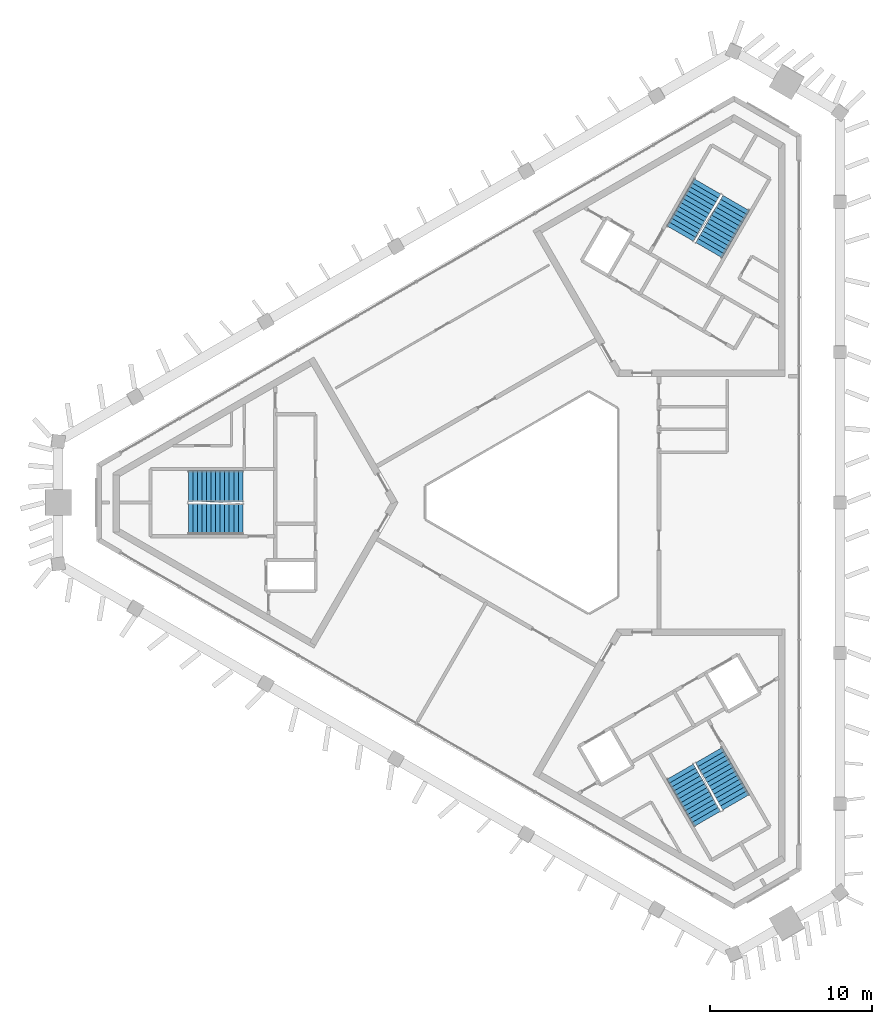
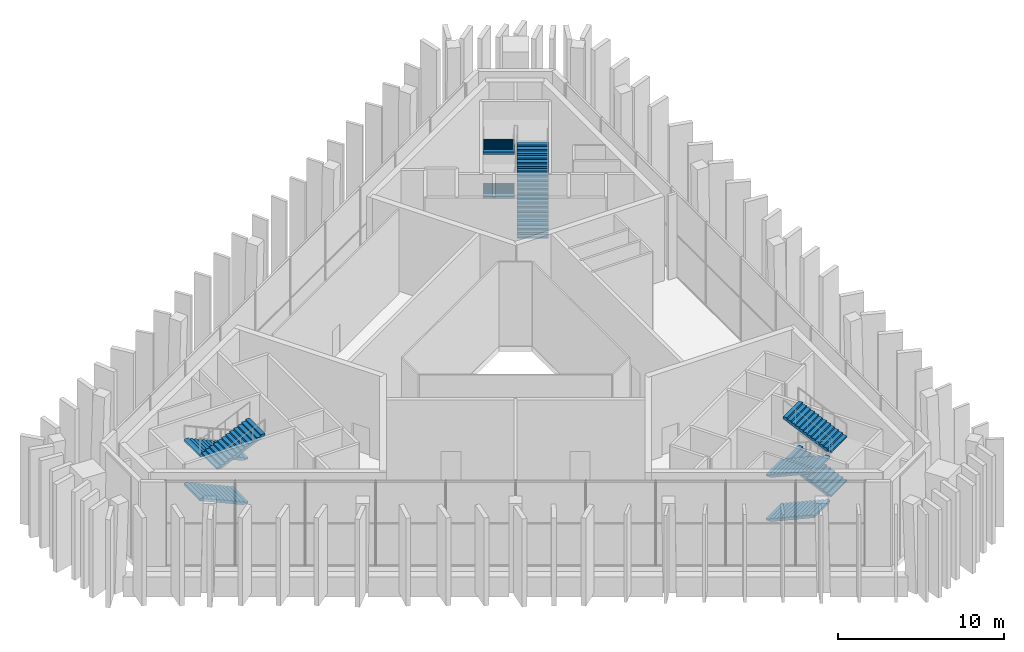
# One storey, part 11 of 13: 11 stair flights, 3 elements without a shape of their own.
"""IFC4 building model written with IfcOpenShell, lengths in metres."""

import ifcopenshell
import ifcopenshell.guid

model = None  # the IFC model being written
_history = None  # IfcOwnerHistory: only IFC2X3 demands one
_inside = {}  # id of a spatial element -> (the spatial element, [elements in it])
_under = {}  # id of a project, library or spatial element -> (it, [spatial elements below it])
_declared = {}  # id of a project -> (the project, [libraries it declares])
_typed = {}  # id of a type object -> (the type object, [elements of that type])
_made_of = {}  # id of a material, layer set ... -> (it, [elements and type objects made of it])


def new_model(schema):
    """Start an empty IFC model of exactly this schema.

    Asked for "IFC4X3", IfcOpenShell would pick the latest addendum, in which some entities
    have other attributes; the version numbers below select the first issue.
    IFC2X3 requires an IfcOwnerHistory on every rooted entity: one is made here for all.
    """
    global model, _history
    if schema == "IFC4X3":
        model = ifcopenshell.file(schema_version=(4, 3, 0, 0))
    else:
        model = ifcopenshell.file(schema=schema)
    _inside.clear()
    _under.clear()
    _declared.clear()
    _typed.clear()
    _made_of.clear()
    _history = None
    if model.schema == "IFC2X3":
        org = make("IfcOrganization", Name="unknown")
        user = make(
            "IfcPersonAndOrganization",
            ThePerson=make("IfcPerson", FamilyName="unknown"),
            TheOrganization=org,
        )
        app = make(
            "IfcApplication",
            ApplicationDeveloper=org,
            Version="unknown",
            ApplicationFullName="unknown",
            ApplicationIdentifier="unknown",
        )
        _history = make(
            "IfcOwnerHistory",
            OwningUser=user,
            OwningApplication=app,
            ChangeAction="ADDED",
            CreationDate=0,
        )
    return model


def make(cls, **values):
    """One entity of the class cls with the attributes given. An attribute that is None is left unset."""
    return model.create_entity(
        cls, **{name: value for name, value in values.items() if value is not None}
    )


def rooted(cls, **values):
    """An entity with a GlobalId (a new one), such as an element, a storey or a relation."""
    return make(cls, GlobalId=ifcopenshell.guid.new(), OwnerHistory=_history, **values)


def si_unit(unit_type, name, prefix=None):
    """IfcSIUnit, for example si_unit("LENGTHUNIT", "METRE", prefix="MILLI")."""
    return make("IfcSIUnit", UnitType=unit_type, Prefix=prefix, Name=name)


def assignment(units):
    """IfcUnitAssignment: the units of a project."""
    return None if units is None else make("IfcUnitAssignment", Units=units)


def point(xyz):
    """IfcCartesianPoint."""
    return None if xyz is None else make("IfcCartesianPoint", Coordinates=xyz)


def direction(xyz):
    """IfcDirection."""
    return None if xyz is None else make("IfcDirection", DirectionRatios=xyz)


def frame(location, z_axis=None, x_axis=None):
    """IfcAxis2Placement3D, a coordinate frame: its origin and axes. An axis left out is left unset."""
    return make(
        "IfcAxis2Placement3D",
        Location=point(location),
        Axis=direction(z_axis),
        RefDirection=direction(x_axis),
    )


def origin():
    """The frame at (0, 0, 0) with its axes left unset."""
    return frame((0.0, 0.0, 0.0))


def place(relative_to, where):
    """IfcLocalPlacement: puts the frame where relative to a parent placement (None: the world)."""
    return make(
        "IfcLocalPlacement", PlacementRelTo=relative_to, RelativePlacement=where
    )


def context(
    kind, dimensions, precision=None, world=None, true_north=None, identifier=None
):
    """IfcGeometricRepresentationContext, for example the 3D "Model" context."""
    return make(
        "IfcGeometricRepresentationContext",
        ContextIdentifier=identifier,
        ContextType=kind,
        CoordinateSpaceDimension=dimensions,
        Precision=precision,
        WorldCoordinateSystem=world,
        TrueNorth=true_north,
    )


def subcontext(parent, identifier, kind, view, scale=None):
    """IfcGeometricRepresentationSubContext, for example "Body" below "Model"."""
    return make(
        "IfcGeometricRepresentationSubContext",
        ContextIdentifier=identifier,
        ContextType=kind,
        ParentContext=parent,
        TargetScale=scale,
        TargetView=view,
    )


def project(units=None, contexts=None):
    """IfcProject with its units and contexts."""
    return rooted(
        "IfcProject",
        Name="project",
        RepresentationContexts=contexts,
        UnitsInContext=assignment(units),
    )


def spatial(cls, under=None, at=None, **own):
    """A site, building, storey or space (cls), placed at a placement, below another one or the project."""
    s = rooted(cls, ObjectPlacement=at, **own)
    if under is not None:
        _under.setdefault(under.id(), (under, []))[1].append(s)
    return s


def polyline(points):
    """IfcPolyline through the points."""
    return make("IfcPolyline", Points=[point(p) for p in points])


def outline(outer, holes=None, kind="AREA"):
    """IfcArbitraryClosedProfileDef: a profile drawn as a closed curve; with holes, ...WithVoids."""
    if holes is None:
        return make("IfcArbitraryClosedProfileDef", ProfileType=kind, OuterCurve=outer)
    return make(
        "IfcArbitraryProfileDefWithVoids",
        ProfileType=kind,
        OuterCurve=outer,
        InnerCurves=holes,
    )


def extrude(swept, where, along, depth):
    """IfcExtrudedAreaSolid: the profile swept, set in the frame where, extruded along a direction by depth."""
    return make(
        "IfcExtrudedAreaSolid",
        SweptArea=swept,
        Position=where,
        ExtrudedDirection=direction(along),
        Depth=depth,
    )


def shape(context_of_items, identifier, shape_type, items):
    """IfcShapeRepresentation: the items that make up one representation, for example the "Body"."""
    return make(
        "IfcShapeRepresentation",
        ContextOfItems=context_of_items,
        RepresentationIdentifier=identifier,
        RepresentationType=shape_type,
        Items=items,
    )


def material(Name=None, Category=None):
    """IfcMaterial."""
    return make("IfcMaterial", Name=Name, Category=Category)


def made_of(thing, what):
    """Note that an element or type object is made of a material, layer set ...; save() writes the relation."""
    if what is not None:
        _made_of.setdefault(what.id(), (what, []))[1].append(thing)
    return thing


def type_object(cls, material=None, **own):
    """A type object (cls), such as IfcWallType, which elements share."""
    return made_of(rooted(cls, **own), material)


def element(
    cls,
    number,
    at=None,
    inside=None,
    cuts=None,
    type_object=None,
    material=None,
    context=None,
    identifier="Body",
    shape_type=None,
    held_by="IfcProductDefinitionShape",
    body=None,
    shapes=None,
    **own,
):
    """One element of the class cls, such as IfcWall. Its Tag is "e" and its number.

    at: its placement. inside: the storey or other place that contains it. cuts: it is an
    opening in that element (IfcRelVoidsElement). A single representation is given by context,
    identifier, shape_type and body (its items); several are given by shapes. held_by: the class
    of the entity that holds the representations. save() writes the other relations.
    """
    e = rooted(cls, Tag="e%d" % number, ObjectPlacement=at, **own)
    if body is not None:
        shapes = [shape(context, identifier, shape_type, body)]
    if shapes is not None:
        e.Representation = make(held_by, Representations=shapes)
    if inside is not None:
        _inside.setdefault(inside.id(), (inside, []))[1].append(e)
    if cuts is not None:
        rooted(
            "IfcRelVoidsElement", RelatingBuildingElement=cuts, RelatedOpeningElement=e
        )
    if type_object is not None:
        _typed.setdefault(type_object.id(), (type_object, []))[1].append(e)
    return made_of(e, material)


def aggregate(whole, parts):
    """IfcRelAggregates: a whole, such as a stair, and the parts it consists of."""
    return rooted("IfcRelAggregates", RelatingObject=whole, RelatedObjects=parts)


def save(model, path):
    """Write the relations noted so far, then the file.

    IfcRelAggregates (storeys below a building ...), IfcRelContainedInSpatialStructure (elements
    in a storey), IfcRelDefinesByType, IfcRelAssociatesMaterial and IfcRelDeclares: one each for
    every whole, place, type object, material and project.
    """
    for whole, parts in _under.values():
        aggregate(whole, parts)
    for where, things in _inside.values():
        rooted(
            "IfcRelContainedInSpatialStructure",
            RelatedElements=things,
            RelatingStructure=where,
        )
    for kind, things in _typed.values():
        rooted("IfcRelDefinesByType", RelatedObjects=things, RelatingType=kind)
    for what, things in _made_of.values():
        rooted("IfcRelAssociatesMaterial", RelatedObjects=things, RelatingMaterial=what)
    for by, libraries in _declared.values():
        rooted("IfcRelDeclares", RelatingContext=by, RelatedDefinitions=libraries)
    model.write(path)


model = new_model("IFC4")

# Units and contexts
model_context = context("Model", 3, precision=1e-05, world=origin(), true_north=direction((0.0, 1.0)))
body_context = subcontext(model_context, "Body", "Model", "MODEL_VIEW")
ifc_project = project(units=[si_unit("LENGTHUNIT", "METRE"), si_unit("AREAUNIT", "SQUARE_METRE"), si_unit("VOLUMEUNIT", "CUBIC_METRE"), si_unit("PLANEANGLEUNIT", "RADIAN"), si_unit("MASSUNIT", "GRAM", prefix="KILO")], contexts=[model_context])

# Site, building, storey
site_placement = place(None, origin())
site = spatial("IfcSite", under=ifc_project, at=site_placement, CompositionType="ELEMENT")
building_placement = place(site_placement, origin())
building = spatial("IfcBuilding", under=site, at=building_placement, Name="Jabali Bay Hotel Tower and Convention Centre", CompositionType="ELEMENT")
storey_placement = place(building_placement, frame((0.0, 0.0, 315.800048828125)))
storey = spatial("IfcBuildingStorey", under=building, at=storey_placement, Name="L77", CompositionType="ELEMENT", Elevation=315.800048828125)

# Stair, stair flights
ifc_material = material(Name="Concrete C40", Category="concrete")
stair_type = type_object("IfcStairType", Name="Exit stair 1900", PredefinedType="HALF_TURN_STAIR", material=ifc_material)
stair_1_placement = place(storey_placement, origin())
stair_1 = element("IfcStair", 1, at=stair_1_placement, inside=storey, type_object=stair_type, Name="L77 Exit Stair 1", PredefinedType="HALF_TURN_STAIR")
stair_flight_type = type_object("IfcStairFlightType", Name="Stair flight concrete 150", PredefinedType="STRAIGHT", material=ifc_material)
stair_flight_1_placement = place(storey_placement, frame((56.419921875, 81.02490234375, 0.0), z_axis=(0.0, 0.0, 1.0), x_axis=(-1.0, 0.0, 0.0)))
stair_flight_1 = element("IfcStairFlight", 2, at=stair_flight_1_placement, type_object=stair_flight_type, Name="ST1 flight 1", NumberOfRisers=13, NumberOfTreads=12, PredefinedType="STRAIGHT", RiserHeight=0.125, TreadLength=0.28, context=body_context, shape_type="SweptSolid", body=[
    extrude(outline(polyline([(0.0, 0.0), (0.0, 0.125), (0.280029296875, 0.125), (0.280029296875, 0.25), (0.56005859375, 0.25), (0.56005859375, 0.375), (0.840087890625, 0.375), (0.840087890625, 0.5), (1.1201171875, 0.5), (1.1201171875, 0.625), (1.39990234375, 0.625), (1.39990234375, 0.75), (1.679931640625, 0.75), (1.679931640625, 0.875), (1.9599609375, 0.875), (1.9599609375, 1.0), (2.239990234375, 1.0), (2.239990234375, 1.125), (2.52001953125, 1.125), (2.52001953125, 1.25), (2.800048828125, 1.25), (2.800048828125, 1.375), (3.080078125, 1.375), (3.080078125, 1.5), (3.360107421875, 1.5), (3.360107421875, 1.625), (3.360107421875, 1.3359375), (0.36767578125, 0.0), (0.0, 0.0)])), frame((0.0, 0.949951171875, 0.0), z_axis=(0.0, -1.0, 0.0), x_axis=(1.0, 0.0, 0.0)), (0.0, 0.0, 1.0), 1.89990234375),
])
stair_flight_2_placement = place(storey_placement, frame((56.419921875, 81.02490234375, 3.25), z_axis=(0.0, 0.0, 1.0), x_axis=(-1.0, 0.0, 0.0)))
stair_flight_2 = element("IfcStairFlight", 3, at=stair_flight_2_placement, type_object=stair_flight_type, Name="ST1 flight 3", NumberOfRisers=13, NumberOfTreads=12, PredefinedType="STRAIGHT", RiserHeight=0.125, TreadLength=0.28, context=body_context, shape_type="SweptSolid", body=[
    extrude(outline(polyline([(0.0, 0.0), (0.0, 0.125), (0.280029296875, 0.125), (0.280029296875, 0.25), (0.56005859375, 0.25), (0.56005859375, 0.375), (0.840087890625, 0.375), (0.840087890625, 0.5), (1.1201171875, 0.5), (1.1201171875, 0.625), (1.39990234375, 0.625), (1.39990234375, 0.75), (1.679931640625, 0.75), (1.679931640625, 0.875), (1.9599609375, 0.875), (1.9599609375, 1.0), (2.239990234375, 1.0), (2.239990234375, 1.125), (2.52001953125, 1.125), (2.52001953125, 1.25), (2.800048828125, 1.25), (2.800048828125, 1.375), (3.080078125, 1.375), (3.080078125, 1.5), (3.360107421875, 1.5), (3.360107421875, 1.625), (3.360107421875, 1.3359375), (0.36767578125, 0.0), (0.0, 0.0)])), frame((0.0, 0.949951171875, 0.0), z_axis=(0.0, -1.0, 0.0), x_axis=(1.0, 0.0, 0.0)), (0.0, 0.0, 1.0), 1.89990234375),
])
stair_flight_3_placement = place(storey_placement, frame((53.06005859375, 78.97509765625, 4.875), z_axis=(0.0, 0.0, 1.0), x_axis=(1.0, 0.0, 0.0)))
stair_flight_3 = element("IfcStairFlight", 4, at=stair_flight_3_placement, type_object=stair_flight_type, Name="ST1 flight 4", NumberOfRisers=13, NumberOfTreads=12, PredefinedType="STRAIGHT", RiserHeight=0.125, TreadLength=0.28, context=body_context, shape_type="SweptSolid", body=[
    extrude(outline(polyline([(0.0, 0.0), (0.0, 0.125), (0.280029296875, 0.125), (0.280029296875, 0.25), (0.56005859375, 0.25), (0.56005859375, 0.375), (0.840087890625, 0.375), (0.840087890625, 0.5), (1.1201171875, 0.5), (1.1201171875, 0.625), (1.39990234375, 0.625), (1.39990234375, 0.75), (1.679931640625, 0.75), (1.679931640625, 0.875), (1.9599609375, 0.875), (1.9599609375, 1.0), (2.239990234375, 1.0), (2.239990234375, 1.125), (2.52001953125, 1.125), (2.52001953125, 1.25), (2.800048828125, 1.25), (2.800048828125, 1.375), (3.080078125, 1.375), (3.080078125, 1.5), (3.360107421875, 1.5), (3.360107421875, 1.625), (3.360107421875, 1.3359375), (0.36767578125, 0.0), (0.0, 0.0)])), frame((0.0, 0.949951171875, 0.0), z_axis=(0.0, -1.0, 0.0), x_axis=(1.0, 0.0, 0.0)), (0.0, 0.0, 1.0), 1.89990234375),
])
aggregate(stair_1, [stair_flight_1, stair_flight_2, stair_flight_3])

stair_2_placement = place(storey_placement, origin())
stair_2 = element("IfcStair", 5, at=stair_2_placement, inside=storey, type_object=stair_type, Name="L77 Exit Stair 2", PredefinedType="HALF_TURN_STAIR")
stair_flight_4_placement = place(storey_placement, frame((85.177734375, 95.578369140625, 0.0), z_axis=(0.0, 0.0, 1.0), x_axis=(0.5, 0.866025403784, 0.0)))
stair_flight_4 = element("IfcStairFlight", 6, at=stair_flight_4_placement, type_object=stair_flight_type, Name="ST2 flight 1", NumberOfRisers=13, NumberOfTreads=12, PredefinedType="STRAIGHT", RiserHeight=0.125, TreadLength=0.28, context=body_context, shape_type="SweptSolid", body=[
    extrude(outline(polyline([(0.0, 0.0), (0.0, 0.125), (0.280029296875, 0.125), (0.280029296875, 0.25), (0.56005859375, 0.25), (0.56005859375, 0.375), (0.840087890625, 0.375), (0.840087890625, 0.5), (1.1201171875, 0.5), (1.1201171875, 0.625), (1.39990234375, 0.625), (1.39990234375, 0.75), (1.679931640625, 0.75), (1.679931640625, 0.875), (1.9599609375, 0.875), (1.9599609375, 1.0), (2.239990234375, 1.0), (2.239990234375, 1.125), (2.52001953125, 1.125), (2.52001953125, 1.25), (2.800048828125, 1.25), (2.800048828125, 1.375), (3.080078125, 1.375), (3.080078125, 1.5), (3.360107421875, 1.5), (3.360107421875, 1.625), (3.360107421875, 1.3359375), (0.36767578125, 0.0), (0.0, 0.0)])), frame((0.0, 0.949951171875, 0.0), z_axis=(0.0, -1.0, 0.0), x_axis=(1.0, 0.0, 0.0)), (0.0, 0.0, 1.0), 1.89990234375),
])
stair_flight_5_placement = place(storey_placement, frame((85.082275390625, 99.51318359375, 1.625), z_axis=(0.0, 0.0, 1.0), x_axis=(-0.5, -0.866025403784, 0.0)))
stair_flight_5 = element("IfcStairFlight", 7, at=stair_flight_5_placement, type_object=stair_flight_type, Name="ST2 flight 2", NumberOfRisers=13, NumberOfTreads=12, PredefinedType="STRAIGHT", RiserHeight=0.125, TreadLength=0.28, context=body_context, shape_type="SweptSolid", body=[
    extrude(outline(polyline([(0.0, 0.0), (0.0, 0.125), (0.280029296875, 0.125), (0.280029296875, 0.25), (0.56005859375, 0.25), (0.56005859375, 0.375), (0.840087890625, 0.375), (0.840087890625, 0.5), (1.1201171875, 0.5), (1.1201171875, 0.625), (1.39990234375, 0.625), (1.39990234375, 0.75), (1.679931640625, 0.75), (1.679931640625, 0.875), (1.9599609375, 0.875), (1.9599609375, 1.0), (2.239990234375, 1.0), (2.239990234375, 1.125), (2.52001953125, 1.125), (2.52001953125, 1.25), (2.800048828125, 1.25), (2.800048828125, 1.375), (3.080078125, 1.375), (3.080078125, 1.5), (3.360107421875, 1.5), (3.360107421875, 1.625), (3.360107421875, 1.3359375), (0.36767578125, 0.0), (0.0, 0.0)])), frame((0.0, 0.949951171875, 0.0), z_axis=(0.0, -1.0, 0.0), x_axis=(1.0, 0.0, 0.0)), (0.0, 0.0, 1.0), 1.89990234375),
])
stair_flight_6_placement = place(storey_placement, frame((85.177734375, 95.578369140625, 3.25), z_axis=(0.0, 0.0, 1.0), x_axis=(0.5, 0.866025403784, 0.0)))
stair_flight_6 = element("IfcStairFlight", 8, at=stair_flight_6_placement, type_object=stair_flight_type, Name="ST2 flight 3", NumberOfRisers=13, NumberOfTreads=12, PredefinedType="STRAIGHT", RiserHeight=0.125, TreadLength=0.28, context=body_context, shape_type="SweptSolid", body=[
    extrude(outline(polyline([(0.0, 0.0), (0.0, 0.125), (0.280029296875, 0.125), (0.280029296875, 0.25), (0.56005859375, 0.25), (0.56005859375, 0.375), (0.840087890625, 0.375), (0.840087890625, 0.5), (1.1201171875, 0.5), (1.1201171875, 0.625), (1.39990234375, 0.625), (1.39990234375, 0.75), (1.679931640625, 0.75), (1.679931640625, 0.875), (1.9599609375, 0.875), (1.9599609375, 1.0), (2.239990234375, 1.0), (2.239990234375, 1.125), (2.52001953125, 1.125), (2.52001953125, 1.25), (2.800048828125, 1.25), (2.800048828125, 1.375), (3.080078125, 1.375), (3.080078125, 1.5), (3.360107421875, 1.5), (3.360107421875, 1.625), (3.360107421875, 1.3359375), (0.36767578125, 0.0), (0.0, 0.0)])), frame((0.0, 0.949951171875, 0.0), z_axis=(0.0, -1.0, 0.0), x_axis=(1.0, 0.0, 0.0)), (0.0, 0.0, 1.0), 1.89990234375),
])
stair_flight_7_placement = place(storey_placement, frame((85.082275390625, 99.51318359375, 4.875), z_axis=(0.0, 0.0, 1.0), x_axis=(-0.5, -0.866025403784, 0.0)))
stair_flight_7 = element("IfcStairFlight", 9, at=stair_flight_7_placement, type_object=stair_flight_type, Name="ST2 flight 4", NumberOfRisers=13, NumberOfTreads=12, PredefinedType="STRAIGHT", RiserHeight=0.125, TreadLength=0.28, context=body_context, shape_type="SweptSolid", body=[
    extrude(outline(polyline([(0.0, 0.0), (0.0, 0.125), (0.280029296875, 0.125), (0.280029296875, 0.25), (0.56005859375, 0.25), (0.56005859375, 0.375), (0.840087890625, 0.375), (0.840087890625, 0.5), (1.1201171875, 0.5), (1.1201171875, 0.625), (1.39990234375, 0.625), (1.39990234375, 0.75), (1.679931640625, 0.75), (1.679931640625, 0.875), (1.9599609375, 0.875), (1.9599609375, 1.0), (2.239990234375, 1.0), (2.239990234375, 1.125), (2.52001953125, 1.125), (2.52001953125, 1.25), (2.800048828125, 1.25), (2.800048828125, 1.375), (3.080078125, 1.375), (3.080078125, 1.5), (3.360107421875, 1.5), (3.360107421875, 1.625), (3.360107421875, 1.3359375), (0.36767578125, 0.0), (0.0, 0.0)])), frame((0.0, 0.949951171875, 0.0), z_axis=(0.0, -1.0, 0.0), x_axis=(1.0, 0.0, 0.0)), (0.0, 0.0, 1.0), 1.89990234375),
])
aggregate(stair_2, [stair_flight_4, stair_flight_5, stair_flight_6, stair_flight_7])

stair_3_placement = place(storey_placement, origin())
stair_3 = element("IfcStair", 10, at=stair_3_placement, inside=storey, type_object=stair_type, Name="L77 Exit Stair 3", PredefinedType="HALF_TURN_STAIR")
stair_flight_8_placement = place(storey_placement, frame((83.40234375, 63.396728515625, 0.0), z_axis=(0.0, 0.0, 1.0), x_axis=(0.5, -0.866025403784, 0.0)))
stair_flight_8 = element("IfcStairFlight", 11, at=stair_flight_8_placement, type_object=stair_flight_type, Name="ST3 flight 1", NumberOfRisers=13, NumberOfTreads=12, PredefinedType="STRAIGHT", RiserHeight=0.125, TreadLength=0.28, context=body_context, shape_type="SweptSolid", body=[
    extrude(outline(polyline([(0.0, 0.0), (0.0, 0.125), (0.280029296875, 0.125), (0.280029296875, 0.25), (0.56005859375, 0.25), (0.56005859375, 0.375), (0.840087890625, 0.375), (0.840087890625, 0.5), (1.1201171875, 0.5), (1.1201171875, 0.625), (1.39990234375, 0.625), (1.39990234375, 0.75), (1.679931640625, 0.75), (1.679931640625, 0.875), (1.9599609375, 0.875), (1.9599609375, 1.0), (2.239990234375, 1.0), (2.239990234375, 1.125), (2.52001953125, 1.125), (2.52001953125, 1.25), (2.800048828125, 1.25), (2.800048828125, 1.375), (3.080078125, 1.375), (3.080078125, 1.5), (3.360107421875, 1.5), (3.360107421875, 1.625), (3.360107421875, 1.3359375), (0.36767578125, 0.0), (0.0, 0.0)])), frame((0.0, 0.949951171875, 0.0), z_axis=(0.0, -1.0, 0.0), x_axis=(1.0, 0.0, 0.0)), (0.0, 0.0, 1.0), 1.89990234375),
])
stair_flight_9_placement = place(storey_placement, frame((86.857666015625, 61.511962890625, 1.625), z_axis=(0.0, 0.0, 1.0), x_axis=(-0.5, 0.866025403784, 0.0)))
stair_flight_9 = element("IfcStairFlight", 12, at=stair_flight_9_placement, type_object=stair_flight_type, Name="ST3 flight 2", NumberOfRisers=13, NumberOfTreads=12, PredefinedType="STRAIGHT", RiserHeight=0.125, TreadLength=0.28, context=body_context, shape_type="SweptSolid", body=[
    extrude(outline(polyline([(0.0, 0.0), (0.0, 0.125), (0.280029296875, 0.125), (0.280029296875, 0.25), (0.56005859375, 0.25), (0.56005859375, 0.375), (0.840087890625, 0.375), (0.840087890625, 0.5), (1.1201171875, 0.5), (1.1201171875, 0.625), (1.39990234375, 0.625), (1.39990234375, 0.75), (1.679931640625, 0.75), (1.679931640625, 0.875), (1.9599609375, 0.875), (1.9599609375, 1.0), (2.239990234375, 1.0), (2.239990234375, 1.125), (2.52001953125, 1.125), (2.52001953125, 1.25), (2.800048828125, 1.25), (2.800048828125, 1.375), (3.080078125, 1.375), (3.080078125, 1.5), (3.360107421875, 1.5), (3.360107421875, 1.625), (3.360107421875, 1.3359375), (0.36767578125, 0.0), (0.0, 0.0)])), frame((0.0, 0.949951171875, 0.0), z_axis=(0.0, -1.0, 0.0), x_axis=(1.0, 0.0, 0.0)), (0.0, 0.0, 1.0), 1.89990234375),
])
stair_flight_10_placement = place(storey_placement, frame((83.40234375, 63.396728515625, 3.25), z_axis=(0.0, 0.0, 1.0), x_axis=(0.5, -0.866025403784, 0.0)))
stair_flight_10 = element("IfcStairFlight", 13, at=stair_flight_10_placement, type_object=stair_flight_type, Name="ST3 flight 3", NumberOfRisers=13, NumberOfTreads=12, PredefinedType="STRAIGHT", RiserHeight=0.125, TreadLength=0.28, context=body_context, shape_type="SweptSolid", body=[
    extrude(outline(polyline([(0.0, 0.0), (0.0, 0.125), (0.280029296875, 0.125), (0.280029296875, 0.25), (0.56005859375, 0.25), (0.56005859375, 0.375), (0.840087890625, 0.375), (0.840087890625, 0.5), (1.1201171875, 0.5), (1.1201171875, 0.625), (1.39990234375, 0.625), (1.39990234375, 0.75), (1.679931640625, 0.75), (1.679931640625, 0.875), (1.9599609375, 0.875), (1.9599609375, 1.0), (2.239990234375, 1.0), (2.239990234375, 1.125), (2.52001953125, 1.125), (2.52001953125, 1.25), (2.800048828125, 1.25), (2.800048828125, 1.375), (3.080078125, 1.375), (3.080078125, 1.5), (3.360107421875, 1.5), (3.360107421875, 1.625), (3.360107421875, 1.3359375), (0.36767578125, 0.0), (0.0, 0.0)])), frame((0.0, 0.949951171875, 0.0), z_axis=(0.0, -1.0, 0.0), x_axis=(1.0, 0.0, 0.0)), (0.0, 0.0, 1.0), 1.89990234375),
])
stair_flight_11_placement = place(storey_placement, frame((86.857666015625, 61.511962890625, 4.875), z_axis=(0.0, 0.0, 1.0), x_axis=(-0.5, 0.866025403784, 0.0)))
stair_flight_11 = element("IfcStairFlight", 14, at=stair_flight_11_placement, type_object=stair_flight_type, Name="ST3 flight 4", NumberOfRisers=13, NumberOfTreads=12, PredefinedType="STRAIGHT", RiserHeight=0.125, TreadLength=0.28, context=body_context, shape_type="SweptSolid", body=[
    extrude(outline(polyline([(0.0, 0.0), (0.0, 0.125), (0.280029296875, 0.125), (0.280029296875, 0.25), (0.56005859375, 0.25), (0.56005859375, 0.375), (0.840087890625, 0.375), (0.840087890625, 0.5), (1.1201171875, 0.5), (1.1201171875, 0.625), (1.39990234375, 0.625), (1.39990234375, 0.75), (1.679931640625, 0.75), (1.679931640625, 0.875), (1.9599609375, 0.875), (1.9599609375, 1.0), (2.239990234375, 1.0), (2.239990234375, 1.125), (2.52001953125, 1.125), (2.52001953125, 1.25), (2.800048828125, 1.25), (2.800048828125, 1.375), (3.080078125, 1.375), (3.080078125, 1.5), (3.360107421875, 1.5), (3.360107421875, 1.625), (3.360107421875, 1.3359375), (0.36767578125, 0.0), (0.0, 0.0)])), frame((0.0, 0.949951171875, 0.0), z_axis=(0.0, -1.0, 0.0), x_axis=(1.0, 0.0, 0.0)), (0.0, 0.0, 1.0), 1.89990234375),
])
aggregate(stair_3, [stair_flight_8, stair_flight_9, stair_flight_10, stair_flight_11])

save(model, "model.ifc")
